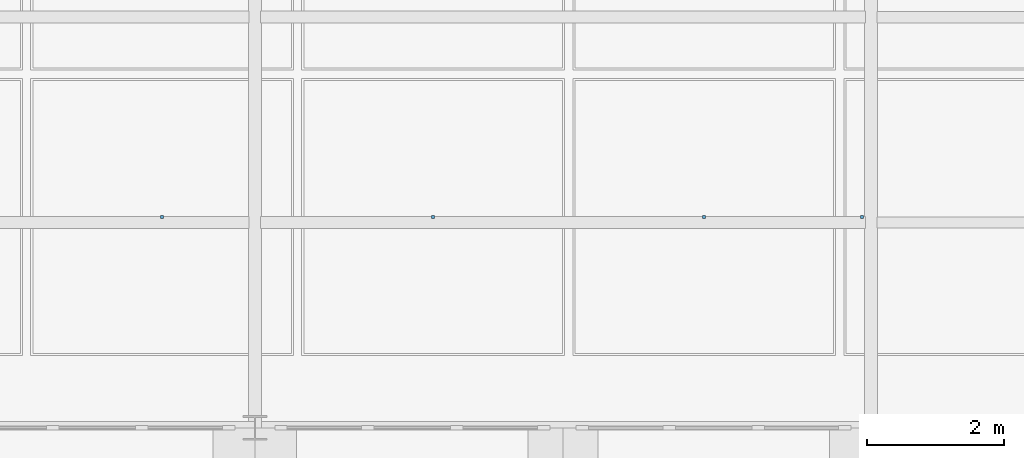
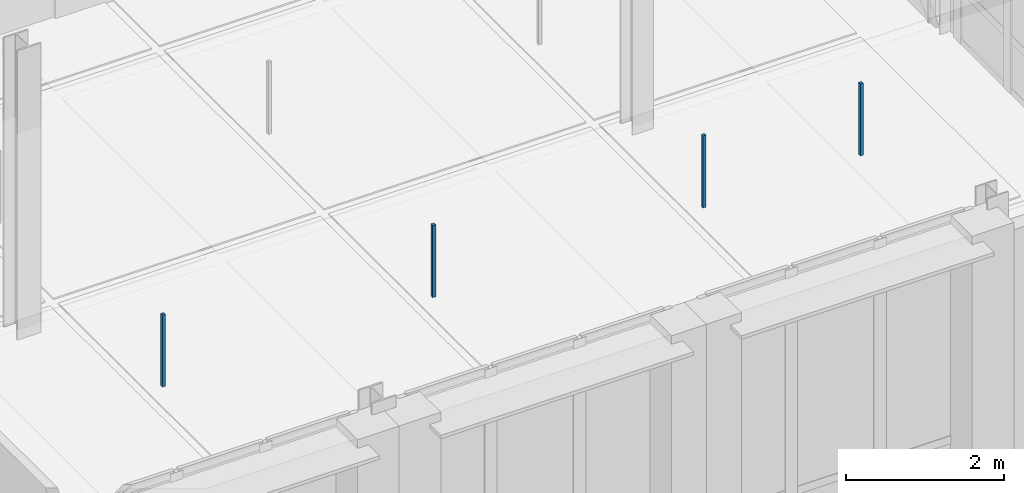
# One storey, part 110 of 130: 4 discrete accessories.
"""IFC4 building model written with IfcOpenShell, lengths in metres."""

from ifc_helpers import new_model, si_unit, direction, frame, origin, origin_2d, place, context, subcontext, project, spatial, rectangle, extrude, material, type_object, element, save


model = new_model("IFC4")

# Units and contexts
model_context = context("Model", 3, precision=1e-05, world=origin(), true_north=direction((0.0, 1.0)))
body_context = subcontext(model_context, "Body", "Model", "MODEL_VIEW")
ifc_project = project(units=[si_unit("LENGTHUNIT", "METRE"), si_unit("AREAUNIT", "SQUARE_METRE"), si_unit("VOLUMEUNIT", "CUBIC_METRE"), si_unit("PLANEANGLEUNIT", "RADIAN"), si_unit("MASSUNIT", "GRAM", prefix="KILO"), si_unit("THERMODYNAMICTEMPERATUREUNIT", "KELVIN"), si_unit("POWERUNIT", "WATT")], contexts=[model_context])

# Site, building, storey
site_placement = place(None, origin())
site = spatial("IfcSite", under=ifc_project, at=site_placement, CompositionType="ELEMENT")
building_placement = place(site_placement, origin())
building = spatial("IfcBuilding", under=site, at=building_placement, Name="Tallowbark Science Centre", CompositionType="ELEMENT")
storey_placement = place(building_placement, frame((0.0, 0.0, 5.39990234375)))
storey = spatial("IfcBuildingStorey", under=building, at=storey_placement, Name="L01", CompositionType="ELEMENT", Elevation=5.39990234375)

# Discrete accessories
ifc_material = material(Name="Galvanised Steel Grade C350L0 (350 MPa)", Category="steel")
discrete_accessory_type = type_object("IfcDiscreteAccessoryType", Name="ACC-CLG-HNG", PredefinedType="BRACKET", material=ifc_material)
for number, where, z_axis, x_axis, name in (
    (1, (147.145751953125, 75.083251953125, 3.2060546875), (0.0, 0.0, 1.0), (1.0, 0.0, 0.0), "Ceiling Hanger Bracket L01-732"),
    (2, (151.104248046875, 75.083251953125, 3.2060546875), (0.0, 0.0, 1.0), (1.0, 0.0, 0.0), "Ceiling Hanger Bracket L01-741"),
    (3, (155.0625, 75.083251953125, 3.2060546875), (0.0, 0.0, 1.0), (1.0, 0.0, 0.0), "Ceiling Hanger Bracket L01-750"),
    (4, (157.36572265625, 75.083251953125, 3.2060546875), (0.0, 0.0, 1.0), (1.0, 0.0, 0.0), "Ceiling Hanger Bracket L01-759"),
):
    element("IfcDiscreteAccessory", number, at=place(storey_placement, frame(where, z_axis=z_axis, x_axis=x_axis)), inside=storey, type_object=discrete_accessory_type, Name=name, PredefinedType="BRACKET", context=body_context, shape_type="SweptSolid", body=[
        extrude(rectangle(XDim=0.044921875, YDim=0.044921875, at=origin_2d()), origin(), (0.0, 0.0, 1.0), 1.116943359375),
    ])

save(model, "model.ifc")
